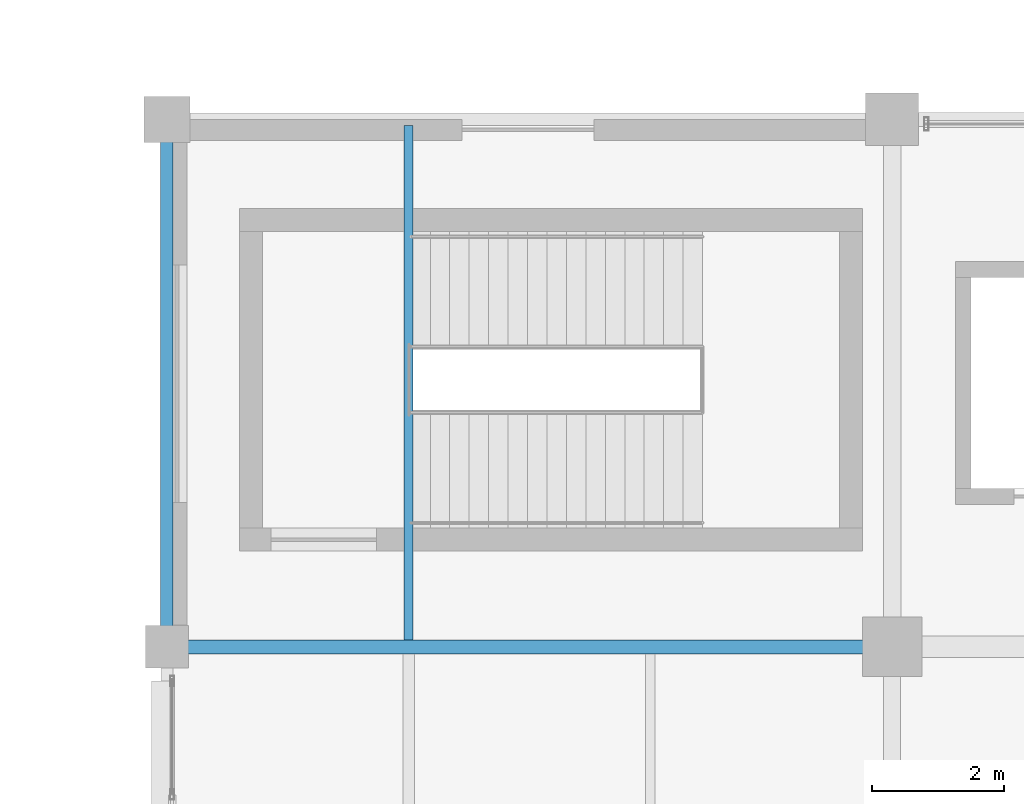
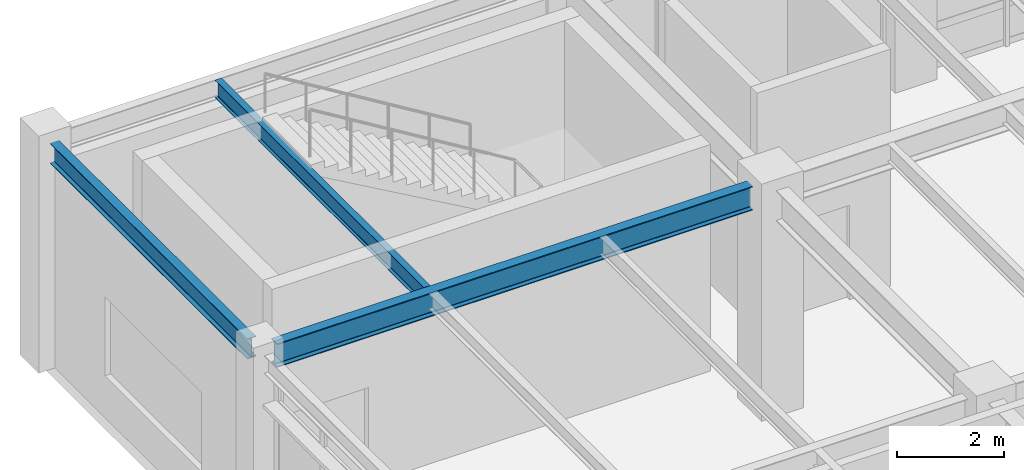
# One storey, part 62 of 203: 3 beams.
"""IFC4 building model written with IfcOpenShell, lengths in metres."""

import ifcopenshell
import ifcopenshell.guid

model = None  # the IFC model being written
_history = None  # IfcOwnerHistory: only IFC2X3 demands one
_inside = {}  # id of a spatial element -> (the spatial element, [elements in it])
_under = {}  # id of a project, library or spatial element -> (it, [spatial elements below it])
_declared = {}  # id of a project -> (the project, [libraries it declares])
_typed = {}  # id of a type object -> (the type object, [elements of that type])
_made_of = {}  # id of a material, layer set ... -> (it, [elements and type objects made of it])


def new_model(schema):
    """Start an empty IFC model of exactly this schema.

    Asked for "IFC4X3", IfcOpenShell would pick the latest addendum, in which some entities
    have other attributes; the version numbers below select the first issue.
    IFC2X3 requires an IfcOwnerHistory on every rooted entity: one is made here for all.
    """
    global model, _history
    if schema == "IFC4X3":
        model = ifcopenshell.file(schema_version=(4, 3, 0, 0))
    else:
        model = ifcopenshell.file(schema=schema)
    _inside.clear()
    _under.clear()
    _declared.clear()
    _typed.clear()
    _made_of.clear()
    _history = None
    if model.schema == "IFC2X3":
        org = make("IfcOrganization", Name="unknown")
        user = make(
            "IfcPersonAndOrganization",
            ThePerson=make("IfcPerson", FamilyName="unknown"),
            TheOrganization=org,
        )
        app = make(
            "IfcApplication",
            ApplicationDeveloper=org,
            Version="unknown",
            ApplicationFullName="unknown",
            ApplicationIdentifier="unknown",
        )
        _history = make(
            "IfcOwnerHistory",
            OwningUser=user,
            OwningApplication=app,
            ChangeAction="ADDED",
            CreationDate=0,
        )
    return model


def make(cls, **values):
    """One entity of the class cls with the attributes given. An attribute that is None is left unset."""
    return model.create_entity(
        cls, **{name: value for name, value in values.items() if value is not None}
    )


def rooted(cls, **values):
    """An entity with a GlobalId (a new one), such as an element, a storey or a relation."""
    return make(cls, GlobalId=ifcopenshell.guid.new(), OwnerHistory=_history, **values)


def si_unit(unit_type, name, prefix=None):
    """IfcSIUnit, for example si_unit("LENGTHUNIT", "METRE", prefix="MILLI")."""
    return make("IfcSIUnit", UnitType=unit_type, Prefix=prefix, Name=name)


def assignment(units):
    """IfcUnitAssignment: the units of a project."""
    return None if units is None else make("IfcUnitAssignment", Units=units)


def point(xyz):
    """IfcCartesianPoint."""
    return None if xyz is None else make("IfcCartesianPoint", Coordinates=xyz)


def direction(xyz):
    """IfcDirection."""
    return None if xyz is None else make("IfcDirection", DirectionRatios=xyz)


def frame(location, z_axis=None, x_axis=None):
    """IfcAxis2Placement3D, a coordinate frame: its origin and axes. An axis left out is left unset."""
    return make(
        "IfcAxis2Placement3D",
        Location=point(location),
        Axis=direction(z_axis),
        RefDirection=direction(x_axis),
    )


def frame_2d(location, x_axis=None):
    """IfcAxis2Placement2D, a coordinate frame in the plane: its origin and x axis."""
    return make(
        "IfcAxis2Placement2D", Location=point(location), RefDirection=direction(x_axis)
    )


def origin():
    """The frame at (0, 0, 0) with its axes left unset."""
    return frame((0.0, 0.0, 0.0))


def origin_2d():
    """The frame at (0, 0) in the plane with its x axis left unset."""
    return frame_2d((0.0, 0.0))


def place(relative_to, where):
    """IfcLocalPlacement: puts the frame where relative to a parent placement (None: the world)."""
    return make(
        "IfcLocalPlacement", PlacementRelTo=relative_to, RelativePlacement=where
    )


def context(
    kind, dimensions, precision=None, world=None, true_north=None, identifier=None
):
    """IfcGeometricRepresentationContext, for example the 3D "Model" context."""
    return make(
        "IfcGeometricRepresentationContext",
        ContextIdentifier=identifier,
        ContextType=kind,
        CoordinateSpaceDimension=dimensions,
        Precision=precision,
        WorldCoordinateSystem=world,
        TrueNorth=true_north,
    )


def subcontext(parent, identifier, kind, view, scale=None):
    """IfcGeometricRepresentationSubContext, for example "Body" below "Model"."""
    return make(
        "IfcGeometricRepresentationSubContext",
        ContextIdentifier=identifier,
        ContextType=kind,
        ParentContext=parent,
        TargetScale=scale,
        TargetView=view,
    )


def project(units=None, contexts=None):
    """IfcProject with its units and contexts."""
    return rooted(
        "IfcProject",
        Name="project",
        RepresentationContexts=contexts,
        UnitsInContext=assignment(units),
    )


def spatial(cls, under=None, at=None, **own):
    """A site, building, storey or space (cls), placed at a placement, below another one or the project."""
    s = rooted(cls, ObjectPlacement=at, **own)
    if under is not None:
        _under.setdefault(under.id(), (under, []))[1].append(s)
    return s


def profile(cls, at=None, kind="AREA", **sizes):
    """A parametric profile (cls). Its sizes go by their IFC names, for example OverallWidth=200.0."""
    return make(cls, ProfileType=kind, Position=at, **sizes)


def i_section(**sizes):
    """IfcIShapeProfileDef."""
    return profile("IfcIShapeProfileDef", **sizes)


def extrude(swept, where, along, depth):
    """IfcExtrudedAreaSolid: the profile swept, set in the frame where, extruded along a direction by depth."""
    return make(
        "IfcExtrudedAreaSolid",
        SweptArea=swept,
        Position=where,
        ExtrudedDirection=direction(along),
        Depth=depth,
    )


def shape(context_of_items, identifier, shape_type, items):
    """IfcShapeRepresentation: the items that make up one representation, for example the "Body"."""
    return make(
        "IfcShapeRepresentation",
        ContextOfItems=context_of_items,
        RepresentationIdentifier=identifier,
        RepresentationType=shape_type,
        Items=items,
    )


def material(Name=None, Category=None):
    """IfcMaterial."""
    return make("IfcMaterial", Name=Name, Category=Category)


def material_profile(
    of_material, cross_section, Name=None, Category=None, Priority=None
):
    """IfcMaterialProfile: a cross section and its material."""
    return make(
        "IfcMaterialProfile",
        Name=Name,
        Material=of_material,
        Profile=cross_section,
        Priority=Priority,
        Category=Category,
    )


def profile_set(profiles, Name=None, composite=None):
    """IfcMaterialProfileSet."""
    return make(
        "IfcMaterialProfileSet",
        Name=Name,
        MaterialProfiles=profiles,
        CompositeProfile=composite,
    )


def made_of(thing, what):
    """Note that an element or type object is made of a material, layer set ...; save() writes the relation."""
    if what is not None:
        _made_of.setdefault(what.id(), (what, []))[1].append(thing)
    return thing


def type_object(cls, material=None, **own):
    """A type object (cls), such as IfcWallType, which elements share."""
    return made_of(rooted(cls, **own), material)


def element(
    cls,
    number,
    at=None,
    inside=None,
    cuts=None,
    type_object=None,
    material=None,
    context=None,
    identifier="Body",
    shape_type=None,
    held_by="IfcProductDefinitionShape",
    body=None,
    shapes=None,
    **own,
):
    """One element of the class cls, such as IfcWall. Its Tag is "e" and its number.

    at: its placement. inside: the storey or other place that contains it. cuts: it is an
    opening in that element (IfcRelVoidsElement). A single representation is given by context,
    identifier, shape_type and body (its items); several are given by shapes. held_by: the class
    of the entity that holds the representations. save() writes the other relations.
    """
    e = rooted(cls, Tag="e%d" % number, ObjectPlacement=at, **own)
    if body is not None:
        shapes = [shape(context, identifier, shape_type, body)]
    if shapes is not None:
        e.Representation = make(held_by, Representations=shapes)
    if inside is not None:
        _inside.setdefault(inside.id(), (inside, []))[1].append(e)
    if cuts is not None:
        rooted(
            "IfcRelVoidsElement", RelatingBuildingElement=cuts, RelatedOpeningElement=e
        )
    if type_object is not None:
        _typed.setdefault(type_object.id(), (type_object, []))[1].append(e)
    return made_of(e, material)


def aggregate(whole, parts):
    """IfcRelAggregates: a whole, such as a stair, and the parts it consists of."""
    return rooted("IfcRelAggregates", RelatingObject=whole, RelatedObjects=parts)


def save(model, path):
    """Write the relations noted so far, then the file.

    IfcRelAggregates (storeys below a building ...), IfcRelContainedInSpatialStructure (elements
    in a storey), IfcRelDefinesByType, IfcRelAssociatesMaterial and IfcRelDeclares: one each for
    every whole, place, type object, material and project.
    """
    for whole, parts in _under.values():
        aggregate(whole, parts)
    for where, things in _inside.values():
        rooted(
            "IfcRelContainedInSpatialStructure",
            RelatedElements=things,
            RelatingStructure=where,
        )
    for kind, things in _typed.values():
        rooted("IfcRelDefinesByType", RelatedObjects=things, RelatingType=kind)
    for what, things in _made_of.values():
        rooted("IfcRelAssociatesMaterial", RelatedObjects=things, RelatingMaterial=what)
    for by, libraries in _declared.values():
        rooted("IfcRelDeclares", RelatingContext=by, RelatedDefinitions=libraries)
    model.write(path)


model = new_model("IFC4")

# Units and contexts
model_context = context("Model", 3, precision=1e-05, world=origin(), true_north=direction((0.0, 1.0)))
body_context = subcontext(model_context, "Body", "Model", "MODEL_VIEW")
ifc_project = project(units=[si_unit("LENGTHUNIT", "METRE"), si_unit("AREAUNIT", "SQUARE_METRE"), si_unit("VOLUMEUNIT", "CUBIC_METRE"), si_unit("PLANEANGLEUNIT", "RADIAN"), si_unit("MASSUNIT", "GRAM", prefix="KILO"), si_unit("THERMODYNAMICTEMPERATUREUNIT", "KELVIN"), si_unit("POWERUNIT", "WATT")], contexts=[model_context])

# Site, building, storey
site_placement = place(None, origin())
site = spatial("IfcSite", under=ifc_project, at=site_placement, CompositionType="ELEMENT")
building_placement = place(site_placement, origin())
building = spatial("IfcBuilding", under=site, at=building_placement, Name="Tepalcoro Natatorium and Aquatics Centre", CompositionType="ELEMENT")
storey_placement = place(building_placement, origin())
storey = spatial("IfcBuildingStorey", under=building, at=storey_placement, Name="L00", CompositionType="ELEMENT", Elevation=0.0)

# Beams
ifc_material = material(Name="Steel ASTM A992 Grade 50 (Fy 345 MPa)", Category="steel")
ifc_material_profile_1 = material_profile(ifc_material, i_section(OverallWidth=0.2119140625, OverallDepth=0.5439453125, WebThickness=0.012939453125, FlangeThickness=0.02099609375, FilletRadius=0.013916015625, at=origin_2d()), Name="W21X83")
ifc_profile_set_1 = profile_set([ifc_material_profile_1], Name="Steel ASTM A992 Grade 50 (Fy 345 MPa)")
beam_type_1 = type_object("IfcBeamType", Name="BM_W21x83", PredefinedType="BEAM", material=ifc_profile_set_1)
beam_1_placement = place(storey_placement, frame((10.31005859375, 110.0, 4.873046875), z_axis=(1.0, 0.0, 0.0), x_axis=(0.0, 1.0, 0.0)))
element("IfcBeam", 1, at=beam_1_placement, inside=storey, type_object=beam_type_1, Name="V4 L00 Grid Girder X", PredefinedType="BEAM", context=body_context, shape_type="SweptSolid", body=[
    extrude(i_section(OverallWidth=0.2119140625, OverallDepth=0.5439453125, WebThickness=0.012939453125, FlangeThickness=0.02099609375, FilletRadius=0.013916015625, at=origin_2d()), origin(), (0.0, 0.0, 1.0), 10.2548828125),
])
ifc_material_profile_2 = material_profile(ifc_material, i_section(OverallWidth=0.139892578125, OverallDepth=0.404052734375, WebThickness=0.007080078125, FlangeThickness=0.010986328125, FilletRadius=0.013916015625, at=origin_2d()), Name="W16X31")
ifc_profile_set_2 = profile_set([ifc_material_profile_2], Name="Steel ASTM A992 Grade 50 (Fy 345 MPa)")
beam_type_2 = type_object("IfcBeamType", Name="JS_W16x31", PredefinedType="JOIST", material=ifc_profile_set_2)
beam_2_placement = place(storey_placement, frame((13.666748046875, 110.10595703125, 4.943115234375), z_axis=(0.0, 1.0, 0.0), x_axis=(-1.0, 0.0, 0.0)))
element("IfcBeam", 2, at=beam_2_placement, inside=storey, type_object=beam_type_2, Name="V4 L00 Floor Joist", PredefinedType="JOIST", context=body_context, shape_type="SweptSolid", body=[
    extrude(i_section(OverallWidth=0.139892578125, OverallDepth=0.404052734375, WebThickness=0.007080078125, FlangeThickness=0.010986328125, FilletRadius=0.013916015625, at=origin_2d()), origin(), (0.0, 0.0, 1.0), 7.798583984375),
])
ifc_material_profile_3 = material_profile(ifc_material, i_section(OverallWidth=0.19091796875, OverallDepth=0.4599609375, WebThickness=0.010009765625, FlangeThickness=0.01611328125, FilletRadius=0.013916015625, at=origin_2d()), Name="W18X55")
ifc_profile_set_3 = profile_set([ifc_material_profile_3], Name="Steel ASTM A992 Grade 50 (Fy 345 MPa)")
beam_type_3 = type_object("IfcBeamType", Name="SP_W18x55", PredefinedType="SPANDREL", material=ifc_profile_set_3)
beam_3_placement = place(storey_placement, frame((10.0, 110.31005859375, 4.9150390625), z_axis=(0.0, 1.0, 0.0), x_axis=(-1.0, 0.0, 0.0)))
element("IfcBeam", 3, at=beam_3_placement, inside=storey, type_object=beam_type_3, Name="V4 L00 Grid Girder Y", PredefinedType="SPANDREL", context=body_context, shape_type="SweptSolid", body=[
    extrude(i_section(OverallWidth=0.19091796875, OverallDepth=0.4599609375, WebThickness=0.010009765625, FlangeThickness=0.01611328125, FilletRadius=0.013916015625, at=origin_2d()), origin(), (0.0, 0.0, 1.0), 7.35498046875),
])

save(model, "model.ifc")
